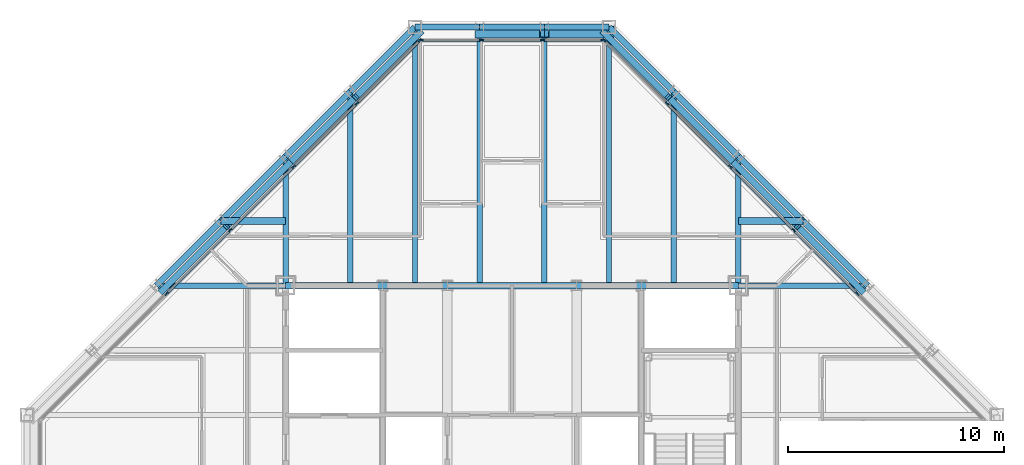
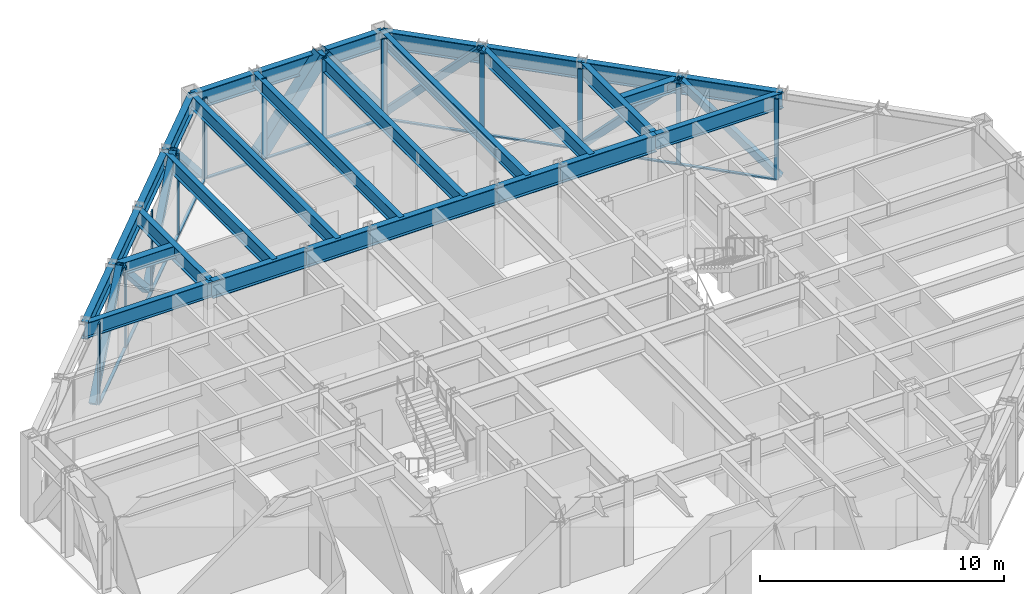
# One storey, part 8 of 15: 35 members, 28 beams, 3 elements without a shape of their own.
"""IFC4 building model written with IfcOpenShell, lengths in metres."""

import ifcopenshell
import ifcopenshell.guid

model = None  # the IFC model being written
_history = None  # IfcOwnerHistory: only IFC2X3 demands one
_inside = {}  # id of a spatial element -> (the spatial element, [elements in it])
_under = {}  # id of a project, library or spatial element -> (it, [spatial elements below it])
_declared = {}  # id of a project -> (the project, [libraries it declares])
_typed = {}  # id of a type object -> (the type object, [elements of that type])
_made_of = {}  # id of a material, layer set ... -> (it, [elements and type objects made of it])


def new_model(schema):
    """Start an empty IFC model of exactly this schema.

    Asked for "IFC4X3", IfcOpenShell would pick the latest addendum, in which some entities
    have other attributes; the version numbers below select the first issue.
    IFC2X3 requires an IfcOwnerHistory on every rooted entity: one is made here for all.
    """
    global model, _history
    if schema == "IFC4X3":
        model = ifcopenshell.file(schema_version=(4, 3, 0, 0))
    else:
        model = ifcopenshell.file(schema=schema)
    _inside.clear()
    _under.clear()
    _declared.clear()
    _typed.clear()
    _made_of.clear()
    _history = None
    if model.schema == "IFC2X3":
        org = make("IfcOrganization", Name="unknown")
        user = make(
            "IfcPersonAndOrganization",
            ThePerson=make("IfcPerson", FamilyName="unknown"),
            TheOrganization=org,
        )
        app = make(
            "IfcApplication",
            ApplicationDeveloper=org,
            Version="unknown",
            ApplicationFullName="unknown",
            ApplicationIdentifier="unknown",
        )
        _history = make(
            "IfcOwnerHistory",
            OwningUser=user,
            OwningApplication=app,
            ChangeAction="ADDED",
            CreationDate=0,
        )
    return model


def make(cls, **values):
    """One entity of the class cls with the attributes given. An attribute that is None is left unset."""
    return model.create_entity(
        cls, **{name: value for name, value in values.items() if value is not None}
    )


def rooted(cls, **values):
    """An entity with a GlobalId (a new one), such as an element, a storey or a relation."""
    return make(cls, GlobalId=ifcopenshell.guid.new(), OwnerHistory=_history, **values)


def si_unit(unit_type, name, prefix=None):
    """IfcSIUnit, for example si_unit("LENGTHUNIT", "METRE", prefix="MILLI")."""
    return make("IfcSIUnit", UnitType=unit_type, Prefix=prefix, Name=name)


def assignment(units):
    """IfcUnitAssignment: the units of a project."""
    return None if units is None else make("IfcUnitAssignment", Units=units)


def point(xyz):
    """IfcCartesianPoint."""
    return None if xyz is None else make("IfcCartesianPoint", Coordinates=xyz)


def direction(xyz):
    """IfcDirection."""
    return None if xyz is None else make("IfcDirection", DirectionRatios=xyz)


def frame(location, z_axis=None, x_axis=None):
    """IfcAxis2Placement3D, a coordinate frame: its origin and axes. An axis left out is left unset."""
    return make(
        "IfcAxis2Placement3D",
        Location=point(location),
        Axis=direction(z_axis),
        RefDirection=direction(x_axis),
    )


def frame_2d(location, x_axis=None):
    """IfcAxis2Placement2D, a coordinate frame in the plane: its origin and x axis."""
    return make(
        "IfcAxis2Placement2D", Location=point(location), RefDirection=direction(x_axis)
    )


def origin():
    """The frame at (0, 0, 0) with its axes left unset."""
    return frame((0.0, 0.0, 0.0))


def origin_2d():
    """The frame at (0, 0) in the plane with its x axis left unset."""
    return frame_2d((0.0, 0.0))


def place(relative_to, where):
    """IfcLocalPlacement: puts the frame where relative to a parent placement (None: the world)."""
    return make(
        "IfcLocalPlacement", PlacementRelTo=relative_to, RelativePlacement=where
    )


def context(
    kind, dimensions, precision=None, world=None, true_north=None, identifier=None
):
    """IfcGeometricRepresentationContext, for example the 3D "Model" context."""
    return make(
        "IfcGeometricRepresentationContext",
        ContextIdentifier=identifier,
        ContextType=kind,
        CoordinateSpaceDimension=dimensions,
        Precision=precision,
        WorldCoordinateSystem=world,
        TrueNorth=true_north,
    )


def subcontext(parent, identifier, kind, view, scale=None):
    """IfcGeometricRepresentationSubContext, for example "Body" below "Model"."""
    return make(
        "IfcGeometricRepresentationSubContext",
        ContextIdentifier=identifier,
        ContextType=kind,
        ParentContext=parent,
        TargetScale=scale,
        TargetView=view,
    )


def project(units=None, contexts=None):
    """IfcProject with its units and contexts."""
    return rooted(
        "IfcProject",
        Name="project",
        RepresentationContexts=contexts,
        UnitsInContext=assignment(units),
    )


def spatial(cls, under=None, at=None, **own):
    """A site, building, storey or space (cls), placed at a placement, below another one or the project."""
    s = rooted(cls, ObjectPlacement=at, **own)
    if under is not None:
        _under.setdefault(under.id(), (under, []))[1].append(s)
    return s


def profile(cls, at=None, kind="AREA", **sizes):
    """A parametric profile (cls). Its sizes go by their IFC names, for example OverallWidth=200.0."""
    return make(cls, ProfileType=kind, Position=at, **sizes)


def rectangle(**sizes):
    """IfcRectangleProfileDef."""
    return profile("IfcRectangleProfileDef", **sizes)


def hollow_rectangle(**sizes):
    """IfcRectangleHollowProfileDef."""
    return profile("IfcRectangleHollowProfileDef", **sizes)


def i_section(**sizes):
    """IfcIShapeProfileDef."""
    return profile("IfcIShapeProfileDef", **sizes)


def extrude(swept, where, along, depth):
    """IfcExtrudedAreaSolid: the profile swept, set in the frame where, extruded along a direction by depth."""
    return make(
        "IfcExtrudedAreaSolid",
        SweptArea=swept,
        Position=where,
        ExtrudedDirection=direction(along),
        Depth=depth,
    )


def shape(context_of_items, identifier, shape_type, items):
    """IfcShapeRepresentation: the items that make up one representation, for example the "Body"."""
    return make(
        "IfcShapeRepresentation",
        ContextOfItems=context_of_items,
        RepresentationIdentifier=identifier,
        RepresentationType=shape_type,
        Items=items,
    )


def material(Name=None, Category=None):
    """IfcMaterial."""
    return make("IfcMaterial", Name=Name, Category=Category)


def layer(
    of_material, thickness, ventilated=None, Name=None, Category=None, Priority=None
):
    """IfcMaterialLayer: one layer of a wall or slab, of a material (None: an air gap)."""
    return make(
        "IfcMaterialLayer",
        Material=of_material,
        LayerThickness=thickness,
        IsVentilated=ventilated,
        Name=Name,
        Category=Category,
        Priority=Priority,
    )


def layer_set(layers, Name=None):
    """IfcMaterialLayerSet."""
    return make("IfcMaterialLayerSet", MaterialLayers=layers, LayerSetName=Name)


def material_profile(
    of_material, cross_section, Name=None, Category=None, Priority=None
):
    """IfcMaterialProfile: a cross section and its material."""
    return make(
        "IfcMaterialProfile",
        Name=Name,
        Material=of_material,
        Profile=cross_section,
        Priority=Priority,
        Category=Category,
    )


def profile_set(profiles, Name=None, composite=None):
    """IfcMaterialProfileSet."""
    return make(
        "IfcMaterialProfileSet",
        Name=Name,
        MaterialProfiles=profiles,
        CompositeProfile=composite,
    )


def made_of(thing, what):
    """Note that an element or type object is made of a material, layer set ...; save() writes the relation."""
    if what is not None:
        _made_of.setdefault(what.id(), (what, []))[1].append(thing)
    return thing


def type_object(cls, material=None, **own):
    """A type object (cls), such as IfcWallType, which elements share."""
    return made_of(rooted(cls, **own), material)


def element(
    cls,
    number,
    at=None,
    inside=None,
    cuts=None,
    type_object=None,
    material=None,
    context=None,
    identifier="Body",
    shape_type=None,
    held_by="IfcProductDefinitionShape",
    body=None,
    shapes=None,
    **own,
):
    """One element of the class cls, such as IfcWall. Its Tag is "e" and its number.

    at: its placement. inside: the storey or other place that contains it. cuts: it is an
    opening in that element (IfcRelVoidsElement). A single representation is given by context,
    identifier, shape_type and body (its items); several are given by shapes. held_by: the class
    of the entity that holds the representations. save() writes the other relations.
    """
    e = rooted(cls, Tag="e%d" % number, ObjectPlacement=at, **own)
    if body is not None:
        shapes = [shape(context, identifier, shape_type, body)]
    if shapes is not None:
        e.Representation = make(held_by, Representations=shapes)
    if inside is not None:
        _inside.setdefault(inside.id(), (inside, []))[1].append(e)
    if cuts is not None:
        rooted(
            "IfcRelVoidsElement", RelatingBuildingElement=cuts, RelatedOpeningElement=e
        )
    if type_object is not None:
        _typed.setdefault(type_object.id(), (type_object, []))[1].append(e)
    return made_of(e, material)


def aggregate(whole, parts):
    """IfcRelAggregates: a whole, such as a stair, and the parts it consists of."""
    return rooted("IfcRelAggregates", RelatingObject=whole, RelatedObjects=parts)


def save(model, path):
    """Write the relations noted so far, then the file.

    IfcRelAggregates (storeys below a building ...), IfcRelContainedInSpatialStructure (elements
    in a storey), IfcRelDefinesByType, IfcRelAssociatesMaterial and IfcRelDeclares: one each for
    every whole, place, type object, material and project.
    """
    for whole, parts in _under.values():
        aggregate(whole, parts)
    for where, things in _inside.values():
        rooted(
            "IfcRelContainedInSpatialStructure",
            RelatedElements=things,
            RelatingStructure=where,
        )
    for kind, things in _typed.values():
        rooted("IfcRelDefinesByType", RelatedObjects=things, RelatingType=kind)
    for what, things in _made_of.values():
        rooted("IfcRelAssociatesMaterial", RelatedObjects=things, RelatingMaterial=what)
    for by, libraries in _declared.values():
        rooted("IfcRelDeclares", RelatingContext=by, RelatedDefinitions=libraries)
    model.write(path)


model = new_model("IFC4")

# Units and contexts
model_context = context("Model", 3, precision=1e-05, world=origin(), true_north=direction((0.0, 1.0)))
body_context = subcontext(model_context, "Body", "Model", "MODEL_VIEW")
ifc_project = project(units=[si_unit("LENGTHUNIT", "METRE"), si_unit("AREAUNIT", "SQUARE_METRE"), si_unit("VOLUMEUNIT", "CUBIC_METRE"), si_unit("PLANEANGLEUNIT", "RADIAN"), si_unit("MASSUNIT", "GRAM", prefix="KILO")], contexts=[model_context])

# Site, building, storey
site_placement = place(None, origin())
site = spatial("IfcSite", under=ifc_project, at=site_placement, CompositionType="ELEMENT")
building_placement = place(site_placement, origin())
building = spatial("IfcBuilding", under=site, at=building_placement, Name="Chuquiago Exchange Tower", CompositionType="ELEMENT")
storey_placement = place(building_placement, frame((0.0, 0.0, 287.39990234375)))
storey = spatial("IfcBuildingStorey", under=building, at=storey_placement, Name="L64", CompositionType="ELEMENT", Elevation=287.39990234375)

# Beams
ifc_material_1 = material(Name="Steel ASTM A992", Category="steel")
ifc_material_profile_1 = material_profile(ifc_material_1, i_section(OverallWidth=0.25390625, OverallDepth=0.683349609375, WebThickness=0.012451171875, FlangeThickness=0.018798828125, at=origin_2d()), Name="W27X94")
ifc_profile_set_1 = profile_set([ifc_material_profile_1], Name="Steel ASTM A992")
beam_type_1 = type_object("IfcBeamType", Name="B1 W27X94", PredefinedType="BEAM", material=ifc_profile_set_1)
beam_1_placement = place(storey_placement, frame((15.0, 33.0, 3.698486328125), z_axis=(0.0, 1.0, 0.0), x_axis=(-1.0, 0.0, 0.0)))
element("IfcBeam", 1, at=beam_1_placement, inside=storey, type_object=beam_type_1, Name="FB-L65-infill-15_33-15_42-0", PredefinedType="BEAM", context=body_context, shape_type="SweptSolid", body=[
    extrude(i_section(OverallWidth=0.25390625, OverallDepth=0.683349609375, WebThickness=0.012451171875, FlangeThickness=0.018798828125, at=origin_2d()), origin(), (0.0, 0.0, 1.0), 9.0),
])
for number, where, z_axis, x_axis, name in (
    (2, (18.0, 33.0, 3.698486328125), (0.0, 1.0, 0.0), (-1.0, 0.0, 0.0), "FB-L65-infill-18_33-18_45-0"),
    (3, (21.0, 33.0, 3.698486328125), (0.0, 1.0, 0.0), (-1.0, 0.0, 0.0), "FB-L65-infill-21_33-21_45-0"),
    (4, (24.0, 33.0, 3.698486328125), (0.0, 1.0, 0.0), (-1.0, 0.0, 0.0), "FB-L65-infill-24_33-24_45-0"),
    (5, (27.0, 33.0, 3.698486328125), (0.0, 1.0, 0.0), (-1.0, 0.0, 0.0), "FB-L65-infill-27_33-27_45-0"),
):
    element("IfcBeam", number, at=place(storey_placement, frame(where, z_axis=z_axis, x_axis=x_axis)), inside=storey, type_object=beam_type_1, Name=name, PredefinedType="BEAM", context=body_context, shape_type="SweptSolid", body=[
        extrude(i_section(OverallWidth=0.25390625, OverallDepth=0.683349609375, WebThickness=0.012451171875, FlangeThickness=0.018798828125, at=origin_2d()), origin(), (0.0, 0.0, 1.0), 12.0),
    ])
beam_2_placement = place(storey_placement, frame((30.0, 33.0, 3.698486328125), z_axis=(0.0, 1.0, 0.0), x_axis=(-1.0, 0.0, 0.0)))
element("IfcBeam", 6, at=beam_2_placement, inside=storey, type_object=beam_type_1, Name="FB-L65-infill-30_33-30_42-0", PredefinedType="BEAM", context=body_context, shape_type="SweptSolid", body=[
    extrude(i_section(OverallWidth=0.25390625, OverallDepth=0.683349609375, WebThickness=0.012451171875, FlangeThickness=0.018798828125, at=origin_2d()), origin(), (0.0, 0.0, 1.0), 9.0),
])
ifc_material_2 = material(Name="Steel ASTM A992", Category="steel")
ifc_material_profile_2 = material_profile(ifc_material_2, i_section(OverallWidth=0.3251953125, OverallDepth=0.612060546875, WebThickness=0.0126953125, FlangeThickness=0.01904296875, at=origin_2d()), Name="W24X104")
ifc_profile_set_2 = profile_set([ifc_material_profile_2], Name="Steel ASTM A992")
beam_type_2 = type_object("IfcBeamType", Name="B2 W24X104", PredefinedType="BEAM", material=ifc_profile_set_2)
for number, where, z_axis, x_axis, name in (
    (7, (12.0, 36.0, 3.73388671875), (-1.0, 0.0, 0.0), (0.0, -1.0, 0.0), "FB-L65-corner-12_36-9_36-0"),
    (8, (33.0, 36.0, 3.73388671875), (1.0, 0.0, 0.0), (0.0, 1.0, 0.0), "FB-L65-corner-33_36-36_36-0"),
):
    element("IfcBeam", number, at=place(storey_placement, frame(where, z_axis=z_axis, x_axis=x_axis)), inside=storey, type_object=beam_type_2, Name=name, PredefinedType="BEAM", context=body_context, shape_type="SweptSolid", body=[
        extrude(i_section(OverallWidth=0.3251953125, OverallDepth=0.612060546875, WebThickness=0.0126953125, FlangeThickness=0.01904296875, at=origin_2d()), origin(), (0.0, 0.0, 1.0), 3.0),
    ])
ifc_material_3 = material(Name="Steel ASTM A992", Category="steel")
ifc_material_profile_3 = material_profile(ifc_material_3, i_section(OverallWidth=0.2919921875, OverallDepth=0.8583984375, WebThickness=0.01708984375, FlangeThickness=0.031005859375, at=origin_2d()), Name="W33X169")
ifc_profile_set_3 = profile_set([ifc_material_profile_3], Name="Steel ASTM A992")
beam_type_3 = type_object("IfcBeamType", Name="B3 W33X169", PredefinedType="BEAM", material=ifc_profile_set_3)
beam_3_placement = place(storey_placement, frame((12.0, 33.0, 3.61083984375), z_axis=(1.0, 0.0, 0.0), x_axis=(0.0, 1.0, 0.0)))
element("IfcBeam", 9, at=beam_3_placement, inside=storey, type_object=beam_type_3, Name="CB-L65-12_33-16.5_33", PredefinedType="BEAM", context=body_context, shape_type="SweptSolid", body=[
    extrude(i_section(OverallWidth=0.2919921875, OverallDepth=0.8583984375, WebThickness=0.01708984375, FlangeThickness=0.031005859375, at=origin_2d()), origin(), (0.0, 0.0, 1.0), 4.5),
])
beam_4_placement = place(storey_placement, frame((16.5, 33.0, 3.61083984375), z_axis=(1.0, 0.0, 0.0), x_axis=(0.0, 1.0, 0.0)))
element("IfcBeam", 10, at=beam_4_placement, inside=storey, type_object=beam_type_3, Name="CB-L65-16.5_33-19.5_33", PredefinedType="BEAM", context=body_context, shape_type="SweptSolid", body=[
    extrude(i_section(OverallWidth=0.2919921875, OverallDepth=0.8583984375, WebThickness=0.01708984375, FlangeThickness=0.031005859375, at=origin_2d()), origin(), (0.0, 0.0, 1.0), 3.0),
])
beam_5_placement = place(storey_placement, frame((19.5, 33.0, 3.61083984375), z_axis=(1.0, 0.0, 0.0), x_axis=(0.0, 1.0, 0.0)))
element("IfcBeam", 11, at=beam_5_placement, inside=storey, type_object=beam_type_3, Name="CB-L65-19.5_33-25.5_33", PredefinedType="BEAM", context=body_context, shape_type="SweptSolid", body=[
    extrude(i_section(OverallWidth=0.2919921875, OverallDepth=0.8583984375, WebThickness=0.01708984375, FlangeThickness=0.031005859375, at=origin_2d()), origin(), (0.0, 0.0, 1.0), 6.0),
])
beam_6_placement = place(storey_placement, frame((25.5, 33.0, 3.61083984375), z_axis=(1.0, 0.0, 0.0), x_axis=(0.0, 1.0, 0.0)))
element("IfcBeam", 12, at=beam_6_placement, inside=storey, type_object=beam_type_3, Name="CB-L65-25.5_33-28.5_33", PredefinedType="BEAM", context=body_context, shape_type="SweptSolid", body=[
    extrude(i_section(OverallWidth=0.2919921875, OverallDepth=0.8583984375, WebThickness=0.01708984375, FlangeThickness=0.031005859375, at=origin_2d()), origin(), (0.0, 0.0, 1.0), 3.0),
])
beam_7_placement = place(storey_placement, frame((28.5, 33.0, 3.61083984375), z_axis=(1.0, 0.0, 0.0), x_axis=(0.0, 1.0, 0.0)))
element("IfcBeam", 13, at=beam_7_placement, inside=storey, type_object=beam_type_3, Name="CB-L65-28.5_33-33_33", PredefinedType="BEAM", context=body_context, shape_type="SweptSolid", body=[
    extrude(i_section(OverallWidth=0.2919921875, OverallDepth=0.8583984375, WebThickness=0.01708984375, FlangeThickness=0.031005859375, at=origin_2d()), origin(), (0.0, 0.0, 1.0), 4.5),
])

# Curtain wall, members
ifc_material_4 = material(Name="Aluminium curtain wall system", Category="aluminium")
ifc_layer_1 = layer(ifc_material_4, 0.22509765625)
ifc_layer_set_1 = layer_set([ifc_layer_1], Name="CW2 office curtain wall")
curtain_wall_type_1 = type_object("IfcCurtainWallType", Name="CW2 office curtain wall", PredefinedType="NOTDEFINED", material=ifc_layer_set_1)
curtain_wall_1_placement = place(storey_placement, origin())
curtain_wall_1 = element("IfcCurtainWall", 14, at=curtain_wall_1_placement, inside=storey, type_object=curtain_wall_type_1, Name="CW2 curtain wall L64", PredefinedType="NOTDEFINED")
ifc_material_5 = material(Name="Aluminium mullion, pale anodised", Category="aluminium")
ifc_material_profile_4 = material_profile(ifc_material_5, rectangle(XDim=0.06494140625, YDim=0.22509765625, at=origin_2d()), Name="AL 65x225")
ifc_profile_set_4 = profile_set([ifc_material_profile_4], Name="Aluminium mullion, pale anodised")
member_type_1 = type_object("IfcMemberType", Name="CW2-M mullion 65x225", PredefinedType="MULLION", material=ifc_profile_set_4)
member_1_placement = place(storey_placement, frame((26.718994140625, 44.39990234375, 0.0), z_axis=(0.0, 0.0, 1.0), x_axis=(0.0, -1.0, 0.0)))
member_1 = element("IfcMember", 15, at=member_1_placement, type_object=member_type_1, Name="CW2 mullion 1", PredefinedType="MULLION", context=body_context, shape_type="SweptSolid", body=[
    extrude(rectangle(XDim=0.06494140625, YDim=0.22509765625, at=origin_2d()), origin(), (0.0, 0.0, 1.0), 4.0400390625),
])
member_2_placement = place(storey_placement, frame((23.917236328125, 44.39990234375, 0.0), z_axis=(0.0, 0.0, 1.0), x_axis=(0.0, -1.0, 0.0)))
member_2 = element("IfcMember", 16, at=member_2_placement, type_object=member_type_1, Name="CW2 mullion 2", PredefinedType="MULLION", context=body_context, shape_type="SweptSolid", body=[
    extrude(rectangle(XDim=0.06494140625, YDim=0.22509765625, at=origin_2d()), origin(), (0.0, 0.0, 1.0), 4.0400390625),
])
member_3_placement = place(storey_placement, frame((21.082763671875, 44.39990234375, 0.0), z_axis=(0.0, 0.0, 1.0), x_axis=(0.0, -1.0, 0.0)))
member_3 = element("IfcMember", 17, at=member_3_placement, type_object=member_type_1, Name="CW2 mullion 3", PredefinedType="MULLION", context=body_context, shape_type="SweptSolid", body=[
    extrude(rectangle(XDim=0.06494140625, YDim=0.22509765625, at=origin_2d()), origin(), (0.0, 0.0, 1.0), 4.0400390625),
])
member_4_placement = place(storey_placement, frame((18.281005859375, 44.39990234375, 0.0), z_axis=(0.0, 0.0, 1.0), x_axis=(0.0, -1.0, 0.0)))
member_4 = element("IfcMember", 18, at=member_4_placement, type_object=member_type_1, Name="CW2 mullion 4", PredefinedType="MULLION", context=body_context, shape_type="SweptSolid", body=[
    extrude(rectangle(XDim=0.06494140625, YDim=0.22509765625, at=origin_2d()), origin(), (0.0, 0.0, 1.0), 4.0400390625),
])
ifc_material_6 = material(Name="Aluminium transom, pale anodised", Category="aluminium")
ifc_material_profile_5 = material_profile(ifc_material_6, rectangle(XDim=0.139892578125, YDim=0.06494140625, at=origin_2d()), Name="AL 140x65")
ifc_profile_set_5 = profile_set([ifc_material_profile_5], Name="Aluminium transom, pale anodised")
member_type_2 = type_object("IfcMemberType", Name="CW2-T transom 65x140", PredefinedType="MULLION", material=ifc_profile_set_5)
member_5_placement = place(storey_placement, frame((26.6865234375, 44.39990234375, 0.03271484375), z_axis=(-1.0, 0.0, 0.0), x_axis=(0.0, -1.0, 0.0)))
member_5 = element("IfcMember", 19, at=member_5_placement, type_object=member_type_2, Name="CW2 transom 1.1", PredefinedType="MULLION", context=body_context, shape_type="SweptSolid", body=[
    extrude(rectangle(XDim=0.139892578125, YDim=0.06494140625, at=origin_2d()), origin(), (0.0, 0.0, 1.0), 2.73681640625),
])
member_6_placement = place(storey_placement, frame((23.884765625, 44.39990234375, 0.03271484375), z_axis=(-1.0, 0.0, 0.0), x_axis=(0.0, -1.0, 0.0)))
member_6 = element("IfcMember", 20, at=member_6_placement, type_object=member_type_2, Name="CW2 transom 2.1", PredefinedType="MULLION", context=body_context, shape_type="SweptSolid", body=[
    extrude(rectangle(XDim=0.139892578125, YDim=0.06494140625, at=origin_2d()), origin(), (0.0, 0.0, 1.0), 2.76953125),
])
member_7_placement = place(storey_placement, frame((21.05029296875, 44.39990234375, 0.03271484375), z_axis=(-1.0, 0.0, 0.0), x_axis=(0.0, -1.0, 0.0)))
member_7 = element("IfcMember", 21, at=member_7_placement, type_object=member_type_2, Name="CW2 transom 3.1", PredefinedType="MULLION", context=body_context, shape_type="SweptSolid", body=[
    extrude(rectangle(XDim=0.139892578125, YDim=0.06494140625, at=origin_2d()), origin(), (0.0, 0.0, 1.0), 2.73681640625),
])
aggregate(curtain_wall_1, [member_1, member_2, member_3, member_4, member_5, member_6, member_7])

ifc_material_7 = material(Name="Aluminium curtain wall system", Category="aluminium")
ifc_layer_2 = layer(ifc_material_7, 0.199951171875)
ifc_layer_set_2 = layer_set([ifc_layer_2], Name="CW3 facet curtain wall")
curtain_wall_type_2 = type_object("IfcCurtainWallType", Name="CW3 facet curtain wall", PredefinedType="NOTDEFINED", material=ifc_layer_set_2)
curtain_wall_2_placement = place(storey_placement, origin())
curtain_wall_2 = element("IfcCurtainWall", 22, at=curtain_wall_2_placement, inside=storey, type_object=curtain_wall_type_2, Name="CW3 curtain wall L64", PredefinedType="NOTDEFINED")
ifc_material_8 = material(Name="Aluminium mullion, pale anodised", Category="aluminium")
ifc_material_profile_6 = material_profile(ifc_material_8, rectangle(XDim=0.06494140625, YDim=0.199951171875, at=origin_2d()), Name="AL 65x200")
ifc_profile_set_6 = profile_set([ifc_material_profile_6], Name="Aluminium mullion, pale anodised")
member_type_3 = type_object("IfcMemberType", Name="CW3-M mullion 65x200", PredefinedType="MULLION", material=ifc_profile_set_6)
member_8_placement = place(storey_placement, frame((38.51708984375, 32.63427734375, 0.0), z_axis=(0.0, 0.0, 1.0), x_axis=(-0.707106781187, -0.707106781187, 0.0)))
member_8 = element("IfcMember", 23, at=member_8_placement, type_object=member_type_3, Name="CW3 mullion 3", PredefinedType="MULLION", context=body_context, shape_type="SweptSolid", body=[
    extrude(rectangle(XDim=0.06494140625, YDim=0.199951171875, at=origin_2d()), origin(), (0.0, 0.0, 1.0), 4.0400390625),
])
member_9_placement = place(storey_placement, frame((35.57568359375, 35.57568359375, 0.0), z_axis=(0.0, 0.0, 1.0), x_axis=(-0.707106781187, -0.707106781187, 0.0)))
member_9 = element("IfcMember", 24, at=member_9_placement, type_object=member_type_3, Name="CW3 mullion 4", PredefinedType="MULLION", context=body_context, shape_type="SweptSolid", body=[
    extrude(rectangle(XDim=0.06494140625, YDim=0.199951171875, at=origin_2d()), origin(), (0.0, 0.0, 1.0), 4.0400390625),
])
member_10_placement = place(storey_placement, frame((32.63427734375, 38.51708984375, 0.0), z_axis=(0.0, 0.0, 1.0), x_axis=(-0.707106781187, -0.707106781187, 0.0)))
member_10 = element("IfcMember", 25, at=member_10_placement, type_object=member_type_3, Name="CW3 mullion 5", PredefinedType="MULLION", context=body_context, shape_type="SweptSolid", body=[
    extrude(rectangle(XDim=0.06494140625, YDim=0.199951171875, at=origin_2d()), origin(), (0.0, 0.0, 1.0), 4.0400390625),
])
member_11_placement = place(storey_placement, frame((29.69287109375, 41.45849609375, 0.0), z_axis=(0.0, 0.0, 1.0), x_axis=(-0.707106781187, -0.707106781187, 0.0)))
member_11 = element("IfcMember", 26, at=member_11_placement, type_object=member_type_3, Name="CW3 mullion 6", PredefinedType="MULLION", context=body_context, shape_type="SweptSolid", body=[
    extrude(rectangle(XDim=0.06494140625, YDim=0.199951171875, at=origin_2d()), origin(), (0.0, 0.0, 1.0), 4.0400390625),
])
member_12_placement = place(storey_placement, frame((26.7744140625, 44.376953125, 0.0), z_axis=(0.0, 0.0, 1.0), x_axis=(-0.707106781187, -0.707106781187, 0.0)))
member_12 = element("IfcMember", 27, at=member_12_placement, type_object=member_type_3, Name="CW3 mullion 7", PredefinedType="MULLION", context=body_context, shape_type="SweptSolid", body=[
    extrude(rectangle(XDim=0.06494140625, YDim=0.199951171875, at=origin_2d()), origin(), (0.0, 0.0, 1.0), 4.0400390625),
])

curtain_wall_3_placement = place(storey_placement, origin())
curtain_wall_3 = element("IfcCurtainWall", 28, at=curtain_wall_3_placement, inside=storey, type_object=curtain_wall_type_2, Name="CW3 curtain wall L64", PredefinedType="NOTDEFINED")
member_13_placement = place(storey_placement, frame((18.2255859375, 44.376953125, 0.0), z_axis=(0.0, 0.0, 1.0), x_axis=(0.707106781187, -0.707106781187, 0.0)))
member_13 = element("IfcMember", 29, at=member_13_placement, type_object=member_type_3, Name="CW3 mullion 1", PredefinedType="MULLION", context=body_context, shape_type="SweptSolid", body=[
    extrude(rectangle(XDim=0.06494140625, YDim=0.199951171875, at=origin_2d()), origin(), (0.0, 0.0, 1.0), 4.0400390625),
])
member_14_placement = place(storey_placement, frame((15.30712890625, 41.45849609375, 0.0), z_axis=(0.0, 0.0, 1.0), x_axis=(0.707106781187, -0.707106781187, 0.0)))
member_14 = element("IfcMember", 30, at=member_14_placement, type_object=member_type_3, Name="CW3 mullion 2", PredefinedType="MULLION", context=body_context, shape_type="SweptSolid", body=[
    extrude(rectangle(XDim=0.06494140625, YDim=0.199951171875, at=origin_2d()), origin(), (0.0, 0.0, 1.0), 4.0400390625),
])
member_15_placement = place(storey_placement, frame((12.36572265625, 38.51708984375, 0.0), z_axis=(0.0, 0.0, 1.0), x_axis=(0.707106781187, -0.707106781187, 0.0)))
member_15 = element("IfcMember", 31, at=member_15_placement, type_object=member_type_3, Name="CW3 mullion 3", PredefinedType="MULLION", context=body_context, shape_type="SweptSolid", body=[
    extrude(rectangle(XDim=0.06494140625, YDim=0.199951171875, at=origin_2d()), origin(), (0.0, 0.0, 1.0), 4.0400390625),
])
member_16_placement = place(storey_placement, frame((9.42431640625, 35.57568359375, 0.0), z_axis=(0.0, 0.0, 1.0), x_axis=(0.707106781187, -0.707106781187, 0.0)))
member_16 = element("IfcMember", 32, at=member_16_placement, type_object=member_type_3, Name="CW3 mullion 4", PredefinedType="MULLION", context=body_context, shape_type="SweptSolid", body=[
    extrude(rectangle(XDim=0.06494140625, YDim=0.199951171875, at=origin_2d()), origin(), (0.0, 0.0, 1.0), 4.0400390625),
])
member_17_placement = place(storey_placement, frame((6.48291015625, 32.63427734375, 0.0), z_axis=(0.0, 0.0, 1.0), x_axis=(0.707106781187, -0.707106781187, 0.0)))
member_17 = element("IfcMember", 33, at=member_17_placement, type_object=member_type_3, Name="CW3 mullion 5", PredefinedType="MULLION", context=body_context, shape_type="SweptSolid", body=[
    extrude(rectangle(XDim=0.06494140625, YDim=0.199951171875, at=origin_2d()), origin(), (0.0, 0.0, 1.0), 4.0400390625),
])

# Member
ifc_material_9 = material(Name="Aluminium transom, pale anodised", Category="aluminium")
ifc_material_profile_7 = material_profile(ifc_material_9, rectangle(XDim=0.139892578125, YDim=0.06494140625, at=origin_2d()), Name="AL 140x65")
ifc_profile_set_7 = profile_set([ifc_material_profile_7], Name="Aluminium transom, pale anodised")
member_type_4 = type_object("IfcMemberType", Name="CW3-T transom 65x140", PredefinedType="MULLION", material=ifc_profile_set_7)
member_18_placement = place(storey_placement, frame((38.494140625, 32.6572265625, 0.03271484375), z_axis=(-0.707106781187, 0.707106781187, 0.0), x_axis=(-0.707106781187, -0.707106781187, 0.0)))
member_18 = element("IfcMember", 34, at=member_18_placement, type_object=member_type_4, Name="CW3 transom 3.1", PredefinedType="MULLION", context=body_context, shape_type="SweptSolid", body=[
    extrude(rectangle(XDim=0.139892578125, YDim=0.06494140625, at=origin_2d()), origin(), (0.0, 0.0, 1.0), 4.094970703125),
])

member_19_placement = place(storey_placement, frame((35.552734375, 35.5986328125, 0.03271484375), z_axis=(-0.707106781187, 0.707106781187, 0.0), x_axis=(-0.707106781187, -0.707106781187, 0.0)))
member_19 = element("IfcMember", 35, at=member_19_placement, type_object=member_type_4, Name="CW3 transom 4.1", PredefinedType="MULLION", context=body_context, shape_type="SweptSolid", body=[
    extrude(rectangle(XDim=0.139892578125, YDim=0.06494140625, at=origin_2d()), origin(), (0.0, 0.0, 1.0), 4.094970703125),
])

member_20_placement = place(storey_placement, frame((32.611328125, 38.5400390625, 0.03271484375), z_axis=(-0.707106781187, 0.707106781187, 0.0), x_axis=(-0.707106781187, -0.707106781187, 0.0)))
member_20 = element("IfcMember", 36, at=member_20_placement, type_object=member_type_4, Name="CW3 transom 5.1", PredefinedType="MULLION", context=body_context, shape_type="SweptSolid", body=[
    extrude(rectangle(XDim=0.139892578125, YDim=0.06494140625, at=origin_2d()), origin(), (0.0, 0.0, 1.0), 4.094970703125),
])

member_21_placement = place(storey_placement, frame((29.669921875, 41.4814453125, 0.03271484375), z_axis=(-0.707106781187, 0.707106781187, 0.0), x_axis=(-0.707106781187, -0.707106781187, 0.0)))
member_21 = element("IfcMember", 37, at=member_21_placement, type_object=member_type_4, Name="CW3 transom 6.1", PredefinedType="MULLION", context=body_context, shape_type="SweptSolid", body=[
    extrude(rectangle(XDim=0.139892578125, YDim=0.06494140625, at=origin_2d()), origin(), (0.0, 0.0, 1.0), 4.0625),
])

aggregate(curtain_wall_2, [member_8, member_9, member_10, member_11, member_12, member_18, member_19, member_20, member_21])

member_22_placement = place(storey_placement, frame((18.20263671875, 44.35400390625, 0.03271484375), z_axis=(-0.707106781187, -0.707106781187, 0.0), x_axis=(0.707106781187, -0.707106781187, 0.0)))
member_22 = element("IfcMember", 38, at=member_22_placement, type_object=member_type_4, Name="CW3 transom 1.1", PredefinedType="MULLION", context=body_context, shape_type="SweptSolid", body=[
    extrude(rectangle(XDim=0.139892578125, YDim=0.06494140625, at=origin_2d()), origin(), (0.0, 0.0, 1.0), 4.0625),
])

member_23_placement = place(storey_placement, frame((15.2841796875, 41.435546875, 0.03271484375), z_axis=(-0.707106781187, -0.707106781187, 0.0), x_axis=(0.707106781187, -0.707106781187, 0.0)))
member_23 = element("IfcMember", 39, at=member_23_placement, type_object=member_type_4, Name="CW3 transom 2.1", PredefinedType="MULLION", context=body_context, shape_type="SweptSolid", body=[
    extrude(rectangle(XDim=0.139892578125, YDim=0.06494140625, at=origin_2d()), origin(), (0.0, 0.0, 1.0), 4.094970703125),
])

member_24_placement = place(storey_placement, frame((12.3427734375, 38.494140625, 0.03271484375), z_axis=(-0.707106781187, -0.707106781187, 0.0), x_axis=(0.707106781187, -0.707106781187, 0.0)))
member_24 = element("IfcMember", 40, at=member_24_placement, type_object=member_type_4, Name="CW3 transom 3.1", PredefinedType="MULLION", context=body_context, shape_type="SweptSolid", body=[
    extrude(rectangle(XDim=0.139892578125, YDim=0.06494140625, at=origin_2d()), origin(), (0.0, 0.0, 1.0), 4.094970703125),
])

member_25_placement = place(storey_placement, frame((9.4013671875, 35.552734375, 0.03271484375), z_axis=(-0.707106781187, -0.707106781187, 0.0), x_axis=(0.707106781187, -0.707106781187, 0.0)))
member_25 = element("IfcMember", 41, at=member_25_placement, type_object=member_type_4, Name="CW3 transom 4.1", PredefinedType="MULLION", context=body_context, shape_type="SweptSolid", body=[
    extrude(rectangle(XDim=0.139892578125, YDim=0.06494140625, at=origin_2d()), origin(), (0.0, 0.0, 1.0), 4.094970703125),
])

aggregate(curtain_wall_3, [member_13, member_14, member_15, member_16, member_17, member_22, member_23, member_24, member_25])

# Beams
ifc_material_10 = material(Name="Steel ASTM A992", Category="steel")
ifc_material_profile_8 = material_profile(ifc_material_10, i_section(OverallWidth=0.2666015625, OverallDepth=0.76953125, WebThickness=0.015625, FlangeThickness=0.025390625, at=origin_2d()), Name="W30X132")
ifc_profile_set_8 = profile_set([ifc_material_profile_8], Name="Steel ASTM A992")
beam_type_4 = type_object("IfcBeamType", Name="G1 W30X132", PredefinedType="BEAM", material=ifc_profile_set_8)
for number, where, z_axis, x_axis, name in (
    (42, (12.0, 33.0, 3.6552734375), (0.0, 1.0, 0.0), (-1.0, 0.0, 0.0), "FB-L65-girder-12_33-12_39-0"),
    (43, (33.0, 33.0, 3.6552734375), (0.0, 1.0, 0.0), (-1.0, 0.0, 0.0), "FB-L65-girder-33_33-33_39-0"),
    (44, (33.0, 33.0, 3.6552734375), (1.0, 0.0, 0.0), (0.0, 1.0, 0.0), "FB-L65-girder-33_33-39_33-0"),
    (45, (12.0, 33.0, 3.6552734375), (-1.0, 0.0, 0.0), (0.0, -1.0, 0.0), "FB-L65-girder-12_33-6_33-0"),
):
    element("IfcBeam", number, at=place(storey_placement, frame(where, z_axis=z_axis, x_axis=x_axis)), inside=storey, type_object=beam_type_4, Name=name, PredefinedType="BEAM", context=body_context, shape_type="SweptSolid", body=[
        extrude(i_section(OverallWidth=0.2666015625, OverallDepth=0.76953125, WebThickness=0.015625, FlangeThickness=0.025390625, at=origin_2d()), origin(), (0.0, 0.0, 1.0), 6.0),
    ])

# Members
ifc_material_11 = material(Name="Steel ASTM A500 Grade C", Category="steel")
ifc_material_profile_9 = material_profile(ifc_material_11, hollow_rectangle(XDim=0.3046875, YDim=0.3046875, WallThickness=0.0146484375, at=origin_2d()), Name="HSS12X12X5/8")
ifc_profile_set_9 = profile_set([ifc_material_profile_9], Name="Steel ASTM A500 Grade C")
member_type_5 = type_object("IfcMemberType", Name="LB3 HSS12X12X5/8", PredefinedType="BRACE", material=ifc_profile_set_9)
for number, where, z_axis, x_axis, name in (
    (46, (38.750732421875, 32.750732421875, 0.0), (-0.512077265487, 0.512077265487, 0.689604051861), (-0.707106781187, -0.707106781187, 0.0), "LB-L64-39_33-36_36"),
    (47, (32.750732421875, 38.750732421875, 0.0), (0.512077265487, -0.512077265487, 0.689604051861), (0.707106781187, 0.707106781187, 0.0), "LB-L64-36_36-33_39"),
    (48, (32.750732421875, 38.750732421875, 0.0), (-0.512077265487, 0.512077265487, 0.689604051861), (-0.707106781187, -0.707106781187, 0.0), "LB-L64-33_39-30_42"),
    (49, (26.750732421875, 44.750732421875, 0.0), (0.512077265487, -0.512077265487, 0.689604051861), (0.707106781187, 0.707106781187, 0.0), "LB-L64-30_42-27_45"),
    (50, (18.249267578125, 44.750732421875, 0.0), (-0.512077265487, -0.512077265487, 0.689604051861), (0.707106781187, -0.707106781187, 0.0), "LB-L64-18_45-15_42"),
    (51, (12.249267578125, 38.750732421875, 0.0), (0.512077265487, 0.512077265487, 0.689604051861), (-0.707106781187, 0.707106781187, 0.0), "LB-L64-15_42-12_39"),
    (52, (12.249267578125, 38.750732421875, 0.0), (-0.512077265487, -0.512077265487, 0.689604051861), (0.707106781187, -0.707106781187, 0.0), "LB-L64-12_39-9_36"),
    (53, (6.249267578125, 32.750732421875, 0.0), (0.512077265487, 0.512077265487, 0.689604051861), (-0.707106781187, 0.707106781187, 0.0), "LB-L64-9_36-6_33"),
):
    element("IfcMember", number, at=place(storey_placement, frame(where, z_axis=z_axis, x_axis=x_axis)), inside=storey, type_object=member_type_5, Name=name, PredefinedType="BRACE", context=body_context, shape_type="SweptSolid", body=[
        extrude(hollow_rectangle(XDim=0.3046875, YDim=0.3046875, WallThickness=0.0146484375, at=origin_2d()), origin(), (0.0, 0.0, 1.0), 5.8583984375),
    ])
ifc_material_12 = material(Name="Steel ASTM A572 Grade 50", Category="steel")
ifc_material_profile_10 = material_profile(ifc_material_12, hollow_rectangle(XDim=0.550048828125, YDim=0.550048828125, WallThickness=0.044921875, at=origin_2d()), Name="BOX550X550X45")
ifc_profile_set_10 = profile_set([ifc_material_profile_10], Name="Steel ASTM A572 Grade 50")
member_type_6 = type_object("IfcMemberType", Name="MB4 BOX550X550X45", PredefinedType="BRACE", material=ifc_profile_set_10)
for number, where, z_axis, x_axis, name in (
    (54, (27.0, 44.77001953125, 0.0), (-0.596173923302, 0.0, 0.802855312728), (0.0, -1.0, 0.0), "Mega diagonal L64 N face"),
    (55, (21.0, 44.77001953125, 0.0), (0.596173923302, 0.0, 0.802855312728), (0.0, 1.0, 0.0), "Mega diagonal L64 N face"),
):
    element("IfcMember", number, at=place(storey_placement, frame(where, z_axis=z_axis, x_axis=x_axis)), inside=storey, type_object=member_type_6, Name=name, PredefinedType="BRACE", context=body_context, shape_type="SweptSolid", body=[
        extrude(hollow_rectangle(XDim=0.550048828125, YDim=0.550048828125, WallThickness=0.044921875, at=origin_2d()), origin(), (0.0, 0.0, 1.0), 5.031982421875),
    ])

# Beams
ifc_material_13 = material(Name="Steel ASTM A992", Category="steel")
ifc_material_profile_11 = material_profile(ifc_material_13, i_section(OverallWidth=0.2919921875, OverallDepth=0.8583984375, WebThickness=0.01708984375, FlangeThickness=0.031005859375, at=origin_2d()), Name="W33X169")
ifc_profile_set_11 = profile_set([ifc_material_profile_11], Name="Steel ASTM A992")
beam_type_5 = type_object("IfcBeamType", Name="SP4 W33X169", PredefinedType="SPANDREL", material=ifc_profile_set_11)
for number, where, z_axis, x_axis, name in (
    (56, (39.0, 33.0, 3.61083984375), (-0.707106781187, 0.707106781187, 0.0), (-0.707106781187, -0.707106781187, 0.0), "SPB-L65-39_33-36_36"),
    (57, (36.0, 36.0, 3.61083984375), (-0.707106781187, 0.707106781187, 0.0), (-0.707106781187, -0.707106781187, 0.0), "SPB-L65-36_36-33_39"),
    (58, (33.0, 39.0, 3.61083984375), (-0.707106781187, 0.707106781187, 0.0), (-0.707106781187, -0.707106781187, 0.0), "SPB-L65-33_39-30_42"),
    (59, (30.0, 42.0, 3.61083984375), (-0.707106781187, 0.707106781187, 0.0), (-0.707106781187, -0.707106781187, 0.0), "SPB-L65-30_42-27_45"),
):
    element("IfcBeam", number, at=place(storey_placement, frame(where, z_axis=z_axis, x_axis=x_axis)), inside=storey, type_object=beam_type_5, Name=name, PredefinedType="SPANDREL", context=body_context, shape_type="SweptSolid", body=[
        extrude(i_section(OverallWidth=0.2919921875, OverallDepth=0.8583984375, WebThickness=0.01708984375, FlangeThickness=0.031005859375, at=origin_2d()), origin(), (0.0, 0.0, 1.0), 4.24267578125),
    ])
for number, where, z_axis, x_axis, name in (
    (60, (27.0, 45.0, 3.61083984375), (-1.0, 0.0, 0.0), (0.0, -1.0, 0.0), "SPB-L65-27_45-24_45"),
    (61, (24.0, 45.0, 3.61083984375), (-1.0, 0.0, 0.0), (0.0, -1.0, 0.0), "SPB-L65-24_45-21_45"),
    (62, (21.0, 45.0, 3.61083984375), (-1.0, 0.0, 0.0), (0.0, -1.0, 0.0), "SPB-L65-21_45-18_45"),
):
    element("IfcBeam", number, at=place(storey_placement, frame(where, z_axis=z_axis, x_axis=x_axis)), inside=storey, type_object=beam_type_5, Name=name, PredefinedType="SPANDREL", context=body_context, shape_type="SweptSolid", body=[
        extrude(i_section(OverallWidth=0.2919921875, OverallDepth=0.8583984375, WebThickness=0.01708984375, FlangeThickness=0.031005859375, at=origin_2d()), origin(), (0.0, 0.0, 1.0), 3.0),
    ])
for number, where, z_axis, x_axis, name in (
    (63, (18.0, 45.0, 3.61083984375), (-0.707106781187, -0.707106781187, 0.0), (0.707106781187, -0.707106781187, 0.0), "SPB-L65-18_45-15_42"),
    (64, (15.0, 42.0, 3.61083984375), (-0.707106781187, -0.707106781187, 0.0), (0.707106781187, -0.707106781187, 0.0), "SPB-L65-15_42-12_39"),
    (65, (12.0, 39.0, 3.61083984375), (-0.707106781187, -0.707106781187, 0.0), (0.707106781187, -0.707106781187, 0.0), "SPB-L65-12_39-9_36"),
    (66, (9.0, 36.0, 3.61083984375), (-0.707106781187, -0.707106781187, 0.0), (0.707106781187, -0.707106781187, 0.0), "SPB-L65-9_36-6_33"),
):
    element("IfcBeam", number, at=place(storey_placement, frame(where, z_axis=z_axis, x_axis=x_axis)), inside=storey, type_object=beam_type_5, Name=name, PredefinedType="SPANDREL", context=body_context, shape_type="SweptSolid", body=[
        extrude(i_section(OverallWidth=0.2919921875, OverallDepth=0.8583984375, WebThickness=0.01708984375, FlangeThickness=0.031005859375, at=origin_2d()), origin(), (0.0, 0.0, 1.0), 4.24267578125),
    ])

save(model, "model.ifc")
